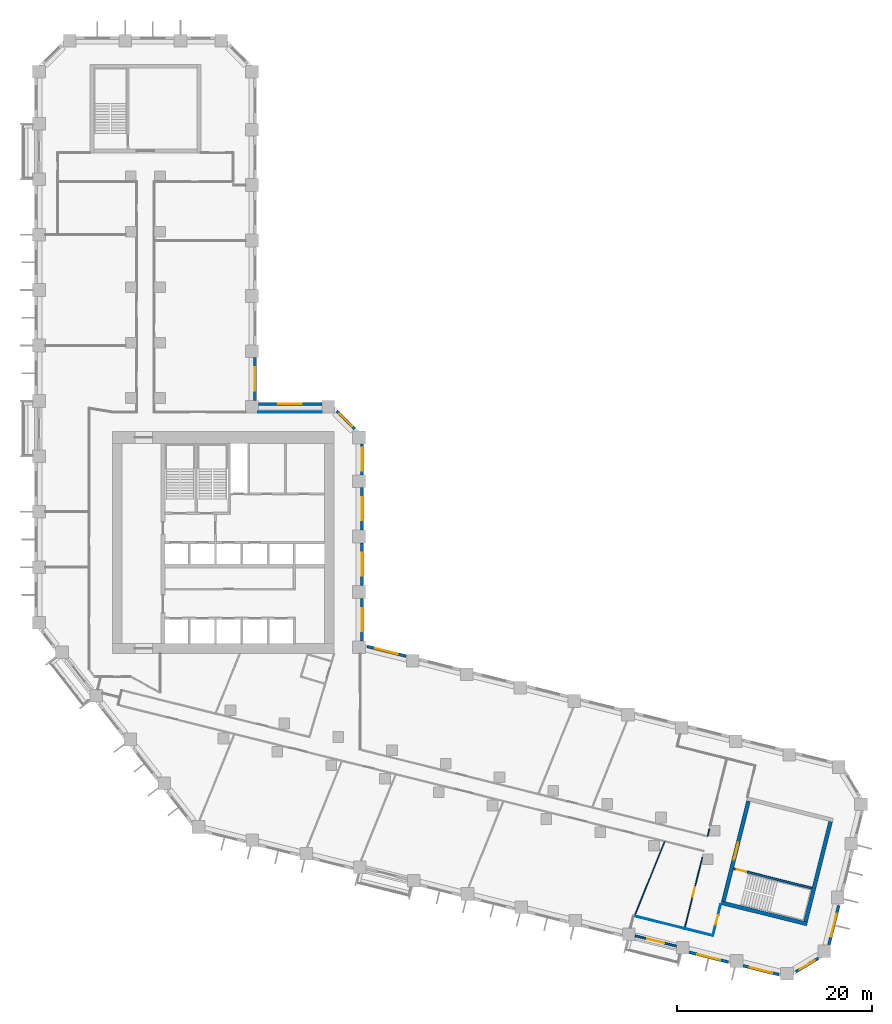
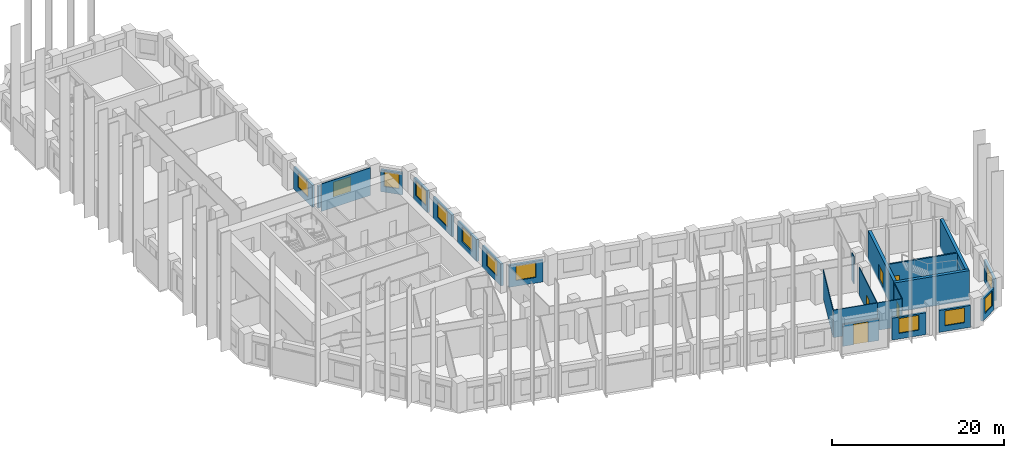
# One storey, part 6 of 10: 24 walls, 12 windows, 5 doors, 17 openings.
"""IFC4 building model written with IfcOpenShell, lengths in metres."""

import ifcopenshell
import ifcopenshell.guid

model = None  # the IFC model being written
_history = None  # IfcOwnerHistory: only IFC2X3 demands one
_inside = {}  # id of a spatial element -> (the spatial element, [elements in it])
_under = {}  # id of a project, library or spatial element -> (it, [spatial elements below it])
_declared = {}  # id of a project -> (the project, [libraries it declares])
_typed = {}  # id of a type object -> (the type object, [elements of that type])
_made_of = {}  # id of a material, layer set ... -> (it, [elements and type objects made of it])


def new_model(schema):
    """Start an empty IFC model of exactly this schema.

    Asked for "IFC4X3", IfcOpenShell would pick the latest addendum, in which some entities
    have other attributes; the version numbers below select the first issue.
    IFC2X3 requires an IfcOwnerHistory on every rooted entity: one is made here for all.
    """
    global model, _history
    if schema == "IFC4X3":
        model = ifcopenshell.file(schema_version=(4, 3, 0, 0))
    else:
        model = ifcopenshell.file(schema=schema)
    _inside.clear()
    _under.clear()
    _declared.clear()
    _typed.clear()
    _made_of.clear()
    _history = None
    if model.schema == "IFC2X3":
        org = make("IfcOrganization", Name="unknown")
        user = make(
            "IfcPersonAndOrganization",
            ThePerson=make("IfcPerson", FamilyName="unknown"),
            TheOrganization=org,
        )
        app = make(
            "IfcApplication",
            ApplicationDeveloper=org,
            Version="unknown",
            ApplicationFullName="unknown",
            ApplicationIdentifier="unknown",
        )
        _history = make(
            "IfcOwnerHistory",
            OwningUser=user,
            OwningApplication=app,
            ChangeAction="ADDED",
            CreationDate=0,
        )
    return model


def make(cls, **values):
    """One entity of the class cls with the attributes given. An attribute that is None is left unset."""
    return model.create_entity(
        cls, **{name: value for name, value in values.items() if value is not None}
    )


def rooted(cls, **values):
    """An entity with a GlobalId (a new one), such as an element, a storey or a relation."""
    return make(cls, GlobalId=ifcopenshell.guid.new(), OwnerHistory=_history, **values)


def si_unit(unit_type, name, prefix=None):
    """IfcSIUnit, for example si_unit("LENGTHUNIT", "METRE", prefix="MILLI")."""
    return make("IfcSIUnit", UnitType=unit_type, Prefix=prefix, Name=name)


def assignment(units):
    """IfcUnitAssignment: the units of a project."""
    return None if units is None else make("IfcUnitAssignment", Units=units)


def point(xyz):
    """IfcCartesianPoint."""
    return None if xyz is None else make("IfcCartesianPoint", Coordinates=xyz)


def direction(xyz):
    """IfcDirection."""
    return None if xyz is None else make("IfcDirection", DirectionRatios=xyz)


def frame(location, z_axis=None, x_axis=None):
    """IfcAxis2Placement3D, a coordinate frame: its origin and axes. An axis left out is left unset."""
    return make(
        "IfcAxis2Placement3D",
        Location=point(location),
        Axis=direction(z_axis),
        RefDirection=direction(x_axis),
    )


def frame_2d(location, x_axis=None):
    """IfcAxis2Placement2D, a coordinate frame in the plane: its origin and x axis."""
    return make(
        "IfcAxis2Placement2D", Location=point(location), RefDirection=direction(x_axis)
    )


def origin():
    """The frame at (0, 0, 0) with its axes left unset."""
    return frame((0.0, 0.0, 0.0))


def place(relative_to, where):
    """IfcLocalPlacement: puts the frame where relative to a parent placement (None: the world)."""
    return make(
        "IfcLocalPlacement", PlacementRelTo=relative_to, RelativePlacement=where
    )


def context(
    kind, dimensions, precision=None, world=None, true_north=None, identifier=None
):
    """IfcGeometricRepresentationContext, for example the 3D "Model" context."""
    return make(
        "IfcGeometricRepresentationContext",
        ContextIdentifier=identifier,
        ContextType=kind,
        CoordinateSpaceDimension=dimensions,
        Precision=precision,
        WorldCoordinateSystem=world,
        TrueNorth=true_north,
    )


def subcontext(parent, identifier, kind, view, scale=None):
    """IfcGeometricRepresentationSubContext, for example "Body" below "Model"."""
    return make(
        "IfcGeometricRepresentationSubContext",
        ContextIdentifier=identifier,
        ContextType=kind,
        ParentContext=parent,
        TargetScale=scale,
        TargetView=view,
    )


def project(units=None, contexts=None):
    """IfcProject with its units and contexts."""
    return rooted(
        "IfcProject",
        Name="project",
        RepresentationContexts=contexts,
        UnitsInContext=assignment(units),
    )


def spatial(cls, under=None, at=None, **own):
    """A site, building, storey or space (cls), placed at a placement, below another one or the project."""
    s = rooted(cls, ObjectPlacement=at, **own)
    if under is not None:
        _under.setdefault(under.id(), (under, []))[1].append(s)
    return s


def profile(cls, at=None, kind="AREA", **sizes):
    """A parametric profile (cls). Its sizes go by their IFC names, for example OverallWidth=200.0."""
    return make(cls, ProfileType=kind, Position=at, **sizes)


def rectangle(**sizes):
    """IfcRectangleProfileDef."""
    return profile("IfcRectangleProfileDef", **sizes)


def extrude(swept, where, along, depth):
    """IfcExtrudedAreaSolid: the profile swept, set in the frame where, extruded along a direction by depth."""
    return make(
        "IfcExtrudedAreaSolid",
        SweptArea=swept,
        Position=where,
        ExtrudedDirection=direction(along),
        Depth=depth,
    )


def shape(context_of_items, identifier, shape_type, items):
    """IfcShapeRepresentation: the items that make up one representation, for example the "Body"."""
    return make(
        "IfcShapeRepresentation",
        ContextOfItems=context_of_items,
        RepresentationIdentifier=identifier,
        RepresentationType=shape_type,
        Items=items,
    )


def material(Name=None, Category=None):
    """IfcMaterial."""
    return make("IfcMaterial", Name=Name, Category=Category)


def layer(
    of_material, thickness, ventilated=None, Name=None, Category=None, Priority=None
):
    """IfcMaterialLayer: one layer of a wall or slab, of a material (None: an air gap)."""
    return make(
        "IfcMaterialLayer",
        Material=of_material,
        LayerThickness=thickness,
        IsVentilated=ventilated,
        Name=Name,
        Category=Category,
        Priority=Priority,
    )


def layer_set(layers, Name=None):
    """IfcMaterialLayerSet."""
    return make("IfcMaterialLayerSet", MaterialLayers=layers, LayerSetName=Name)


def made_of(thing, what):
    """Note that an element or type object is made of a material, layer set ...; save() writes the relation."""
    if what is not None:
        _made_of.setdefault(what.id(), (what, []))[1].append(thing)
    return thing


def type_object(cls, material=None, **own):
    """A type object (cls), such as IfcWallType, which elements share."""
    return made_of(rooted(cls, **own), material)


def element(
    cls,
    number,
    at=None,
    inside=None,
    cuts=None,
    type_object=None,
    material=None,
    context=None,
    identifier="Body",
    shape_type=None,
    held_by="IfcProductDefinitionShape",
    body=None,
    shapes=None,
    **own,
):
    """One element of the class cls, such as IfcWall. Its Tag is "e" and its number.

    at: its placement. inside: the storey or other place that contains it. cuts: it is an
    opening in that element (IfcRelVoidsElement). A single representation is given by context,
    identifier, shape_type and body (its items); several are given by shapes. held_by: the class
    of the entity that holds the representations. save() writes the other relations.
    """
    e = rooted(cls, Tag="e%d" % number, ObjectPlacement=at, **own)
    if body is not None:
        shapes = [shape(context, identifier, shape_type, body)]
    if shapes is not None:
        e.Representation = make(held_by, Representations=shapes)
    if inside is not None:
        _inside.setdefault(inside.id(), (inside, []))[1].append(e)
    if cuts is not None:
        rooted(
            "IfcRelVoidsElement", RelatingBuildingElement=cuts, RelatedOpeningElement=e
        )
    if type_object is not None:
        _typed.setdefault(type_object.id(), (type_object, []))[1].append(e)
    return made_of(e, material)


def fill(opening, filler):
    """IfcRelFillsElement: the door or window that sits in an opening."""
    return rooted(
        "IfcRelFillsElement",
        RelatingOpeningElement=opening,
        RelatedBuildingElement=filler,
    )


def aggregate(whole, parts):
    """IfcRelAggregates: a whole, such as a stair, and the parts it consists of."""
    return rooted("IfcRelAggregates", RelatingObject=whole, RelatedObjects=parts)


def save(model, path):
    """Write the relations noted so far, then the file.

    IfcRelAggregates (storeys below a building ...), IfcRelContainedInSpatialStructure (elements
    in a storey), IfcRelDefinesByType, IfcRelAssociatesMaterial and IfcRelDeclares: one each for
    every whole, place, type object, material and project.
    """
    for whole, parts in _under.values():
        aggregate(whole, parts)
    for where, things in _inside.values():
        rooted(
            "IfcRelContainedInSpatialStructure",
            RelatedElements=things,
            RelatingStructure=where,
        )
    for kind, things in _typed.values():
        rooted("IfcRelDefinesByType", RelatedObjects=things, RelatingType=kind)
    for what, things in _made_of.values():
        rooted("IfcRelAssociatesMaterial", RelatedObjects=things, RelatingMaterial=what)
    for by, libraries in _declared.values():
        rooted("IfcRelDeclares", RelatingContext=by, RelatedDefinitions=libraries)
    model.write(path)


model = new_model("IFC4")

# Units and contexts
model_context = context("Model", 3, precision=1e-05, world=origin(), true_north=direction((0.0, 1.0)))
body_context = subcontext(model_context, "Body", "Model", "MODEL_VIEW")
ifc_project = project(units=[si_unit("LENGTHUNIT", "METRE"), si_unit("AREAUNIT", "SQUARE_METRE"), si_unit("VOLUMEUNIT", "CUBIC_METRE"), si_unit("PLANEANGLEUNIT", "RADIAN"), si_unit("MASSUNIT", "GRAM", prefix="KILO")], contexts=[model_context])

# Site, building, storey
site_placement = place(None, origin())
site = spatial("IfcSite", under=ifc_project, at=site_placement, CompositionType="ELEMENT")
building_placement = place(site_placement, origin())
building = spatial("IfcBuilding", under=site, at=building_placement, Name="Meshkara Civic Tower", CompositionType="ELEMENT")
storey_placement = place(building_placement, frame((0.0, 0.0, 130.800048828125)))
storey = spatial("IfcBuildingStorey", under=building, at=storey_placement, Name="L29", CompositionType="ELEMENT", Elevation=130.800048828125)

# Walls
ifc_material_1 = material(Name="Corridor wall 100")
ifc_layer_1 = layer(ifc_material_1, 0.10009765625)
ifc_layer_set_1 = layer_set([ifc_layer_1], Name="Corridor wall 100")
wall_type_1 = type_object("IfcWallType", Name="Corridor wall 100", PredefinedType="PARTITIONING", material=ifc_layer_set_1)
wall_1_placement = place(storey_placement, frame((29.5439453125, 38.89990234375, 0.0), z_axis=(0.0, 0.0, 1.0), x_axis=(-1.0, 0.0, 0.0)))
element("IfcWall", 1, at=wall_1_placement, inside=storey, type_object=wall_type_1, Name="L29-W021", PredefinedType="PARTITIONING", context=body_context, shape_type="SweptSolid", body=[
    extrude(rectangle(XDim=6.5439453125, YDim=0.10009765625, at=frame_2d((3.27197265625, 0.0))), origin(), (0.0, 0.0, 1.0), 3.89990234375),
])
wall_2_placement = place(storey_placement, frame((66.822998046875, -14.18701171875, 0.0), z_axis=(0.0, 0.0, 1.0), x_axis=(0.970271610033, -0.242018600037, 0.0)))
element("IfcWall", 2, at=wall_2_placement, inside=storey, type_object=wall_type_1, Name="L29-W024", PredefinedType="PARTITIONING", context=body_context, shape_type="SweptSolid", body=[
    extrude(rectangle(XDim=3.0, YDim=0.10009765625, at=frame_2d((1.5, 0.0))), origin(), (0.0, 0.0, 1.0), 3.89990234375),
])

# Wall, opening, door
wall_3_placement = place(storey_placement, frame((68.64990234375, -6.860107421875, 0.0), z_axis=(0.0, 0.0, 1.0), x_axis=(-0.241934597979, -0.970292559129, 0.0)))
wall_3 = element("IfcWall", 3, at=wall_3_placement, inside=storey, type_object=wall_type_1, Name="L29-W025", PredefinedType="PARTITIONING", context=body_context, shape_type="SweptSolid", body=[
    extrude(rectangle(XDim=7.55126953125, YDim=0.10009765625, at=frame_2d((3.775634765625, 0.0))), origin(), (0.0, 0.0, 1.0), 3.89990234375),
])
opening_1_placement = place(wall_3_placement, frame((3.179931640625, 0.0, 0.0)))
opening_1 = element("IfcOpeningElement", 4, at=opening_1_placement, cuts=wall_3, Name="Opening L29-D002", PredefinedType="OPENING", context=body_context, shape_type="SweptSolid", body=[
    extrude(rectangle(XDim=1.0, YDim=2.10009765625, at=frame_2d((0.5, 1.050048828125))), frame((0.0, 0.06005859375, 0.0), z_axis=(0.0, -1.0, 0.0), x_axis=(1.0, 0.0, 0.0)), (0.0, 0.0, 1.0), 0.1201171875),
])
ifc_material_2 = material(Name="Door 1000 x 2100")
door_type_1 = type_object("IfcDoorType", Name="Door 1000 x 2100", OperationType="SINGLE_SWING_LEFT", PredefinedType="DOOR", material=ifc_material_2)
door_1_placement = place(opening_1_placement, origin())
door_1 = element("IfcDoor", 5, at=door_1_placement, inside=storey, type_object=door_type_1, Name="L29-D002", OperationType="SINGLE_SWING_RIGHT", OverallHeight=2.10009765625, OverallWidth=1.0, PredefinedType="DOOR", context=body_context, shape_type="SweptSolid", body=[
    extrude(rectangle(XDim=1.0, YDim=2.10009765625, at=frame_2d((0.5, 1.050048828125))), frame((0.0, 0.02490234375, 0.0), z_axis=(0.0, -1.0, 0.0), x_axis=(1.0, 0.0, 0.0)), (0.0, 0.0, 1.0), 0.050048828125),
])
fill(opening_1, door_1)

# Wall
wall_4_placement = place(storey_placement, frame((69.3759765625, -3.947998046875, 0.0), z_axis=(0.0, 0.0, 1.0), x_axis=(-0.24193792473, -0.970291729624, 0.0)))
element("IfcWall", 6, at=wall_4_placement, inside=storey, type_object=wall_type_1, Name="L29-W026", PredefinedType="PARTITIONING", context=body_context, shape_type="SweptSolid", body=[
    extrude(rectangle(XDim=0.76904296875, YDim=0.10009765625, at=frame_2d((0.384521484375, 0.0))), origin(), (0.0, 0.0, 1.0), 3.89990234375),
])

# Wall, opening, door
wall_5_placement = place(storey_placement, frame((69.73388671875, -14.9130859375, 0.0), z_axis=(0.0, 0.0, 1.0), x_axis=(0.241839284064, 0.97031631991, 0.0)))
wall_5 = element("IfcWall", 7, at=wall_5_placement, inside=storey, type_object=wall_type_1, Name="L29-W027", PredefinedType="PARTITIONING", context=body_context, shape_type="SweptSolid", body=[
    extrude(rectangle(XDim=3.300048828125, YDim=0.10009765625, at=frame_2d((1.64990234375, 0.0))), origin(), (0.0, 0.0, 1.0), 3.89990234375),
])
opening_2_placement = place(wall_5_placement, frame((1.179931640625, 0.0, 0.0)))
opening_2 = element("IfcOpeningElement", 8, at=opening_2_placement, cuts=wall_5, Name="Opening L29-D001", PredefinedType="OPENING", context=body_context, shape_type="SweptSolid", body=[
    extrude(rectangle(XDim=1.0, YDim=2.10009765625, at=frame_2d((0.5, 1.050048828125))), frame((0.0, 0.06005859375, 0.0), z_axis=(0.0, -1.0, 0.0), x_axis=(1.0, 0.0, 0.0)), (0.0, 0.0, 1.0), 0.1201171875),
])
door_2_placement = place(opening_2_placement, origin())
door_2 = element("IfcDoor", 9, at=door_2_placement, inside=storey, type_object=door_type_1, Name="L29-D001", OperationType="SINGLE_SWING_LEFT", OverallHeight=2.10009765625, OverallWidth=1.0, PredefinedType="DOOR", context=body_context, shape_type="SweptSolid", body=[
    extrude(rectangle(XDim=1.0, YDim=2.10009765625, at=frame_2d((0.5, 1.050048828125))), frame((0.0, 0.02490234375, 0.0), z_axis=(0.0, -1.0, 0.0), x_axis=(1.0, 0.0, 0.0)), (0.0, 0.0, 1.0), 0.050048828125),
])
fill(opening_2, door_2)

# Wall, opening, window
ifc_material_3 = material(Name="Insulated infill panel with bronze anodised aluminium cladding", Category="aluminium")
ifc_layer_2 = layer(ifc_material_3, 0.300048828125)
ifc_layer_set_2 = layer_set([ifc_layer_2], Name="EXTERNAL INFILL WALL 300")
wall_type_2 = type_object("IfcWallType", Name="EXTERNAL INFILL WALL 300", PredefinedType="SOLIDWALL", material=ifc_layer_set_2)
wall_6_placement = place(storey_placement, frame((38.18896484375, 13.822021484375, 0.0), z_axis=(0.0, 0.0, 1.0), x_axis=(-0.970281616392, 0.241978480223, 0.0)))
wall_6 = element("IfcWall", 10, at=wall_6_placement, inside=storey, type_object=wall_type_2, Name="External wall", PredefinedType="SOLIDWALL", context=body_context, shape_type="SweptSolid", body=[
    extrude(rectangle(XDim=4.12451171875, YDim=0.300048828125, at=frame_2d((2.062255859375, 0.0))), origin(), (0.0, 0.0, 1.0), 3.099853515625),
])
opening_3_placement = place(wall_6_placement, frame((0.862060546875, 0.0, 0.800048828125)))
opening_3 = element("IfcOpeningElement", 11, at=opening_3_placement, cuts=wall_6, Name="Opening W7", PredefinedType="OPENING", context=body_context, shape_type="SweptSolid", body=[
    extrude(rectangle(XDim=2.39990234375, YDim=2.10009765625, at=frame_2d((1.199951171875, 1.050048828125))), frame((0.0, 0.159912109375, 0.0), z_axis=(0.0, -1.0, 0.0), x_axis=(1.0, 0.0, 0.0)), (0.0, 0.0, 1.0), 0.320068359375),
])
ifc_material_4 = material(Name="Tinted double glazing", Category="glass")
window_type_1 = type_object("IfcWindowType", Name="WINDOW 2400x2100", PartitioningType="DOUBLE_PANEL_VERTICAL", PredefinedType="WINDOW", material=ifc_material_4)
window_1_placement = place(opening_3_placement, origin())
window_1 = element("IfcWindow", 12, at=window_1_placement, inside=storey, type_object=window_type_1, Name="Window", OverallHeight=2.10009765625, OverallWidth=2.39990234375, PartitioningType="DOUBLE_PANEL_VERTICAL", PredefinedType="WINDOW", context=body_context, shape_type="SweptSolid", body=[
    extrude(rectangle(XDim=2.39990234375, YDim=2.10009765625, at=frame_2d((1.199951171875, 1.050048828125))), frame((0.0, 0.030029296875, 0.0), z_axis=(0.0, -1.0, 0.0), x_axis=(1.0, 0.0, 0.0)), (0.0, 0.0, 1.0), 0.06005859375),
])
fill(opening_3, window_1)

wall_7_placement = place(storey_placement, frame((33.64990234375, 15.368896484375, 0.0), z_axis=(0.0, 0.0, 1.0), x_axis=(0.0, 1.0, 0.0)))
wall_7 = element("IfcWall", 13, at=wall_7_placement, inside=storey, type_object=wall_type_2, Name="External wall", PredefinedType="SOLIDWALL", context=body_context, shape_type="SweptSolid", body=[
    extrude(rectangle(XDim=4.400146484375, YDim=0.300048828125, at=frame_2d((2.2001953125, 0.0))), origin(), (0.0, 0.0, 1.0), 3.099853515625),
])
opening_4_placement = place(wall_7_placement, frame((1.0, 0.0, 0.800048828125)))
opening_4 = element("IfcOpeningElement", 14, at=opening_4_placement, cuts=wall_7, Name="Opening W7", PredefinedType="OPENING", context=body_context, shape_type="SweptSolid", body=[
    extrude(rectangle(XDim=2.39990234375, YDim=2.10009765625, at=frame_2d((1.199951171875, 1.050048828125))), frame((0.0, 0.159912109375, 0.0), z_axis=(0.0, -1.0, 0.0), x_axis=(1.0, 0.0, 0.0)), (0.0, 0.0, 1.0), 0.320068359375),
])
window_2_placement = place(opening_4_placement, origin())
window_2 = element("IfcWindow", 15, at=window_2_placement, inside=storey, type_object=window_type_1, Name="Window", OverallHeight=2.10009765625, OverallWidth=2.39990234375, PartitioningType="DOUBLE_PANEL_VERTICAL", PredefinedType="WINDOW", context=body_context, shape_type="SweptSolid", body=[
    extrude(rectangle(XDim=2.39990234375, YDim=2.10009765625, at=frame_2d((1.199951171875, 1.050048828125))), frame((0.0, 0.030029296875, 0.0), z_axis=(0.0, -1.0, 0.0), x_axis=(1.0, 0.0, 0.0)), (0.0, 0.0, 1.0), 0.06005859375),
])
fill(opening_4, window_2)

wall_8_placement = place(storey_placement, frame((33.64990234375, 21.069091796875, 0.0), z_axis=(0.0, 0.0, 1.0), x_axis=(0.0, 1.0, 0.0)))
wall_8 = element("IfcWall", 16, at=wall_8_placement, inside=storey, type_object=wall_type_2, Name="External wall", PredefinedType="SOLIDWALL", context=body_context, shape_type="SweptSolid", body=[
    extrude(rectangle(XDim=4.39990234375, YDim=0.300048828125, at=frame_2d((2.199951171875, 0.0))), origin(), (0.0, 0.0, 1.0), 3.099853515625),
])
opening_5_placement = place(wall_8_placement, frame((1.0, 0.0, 0.800048828125)))
opening_5 = element("IfcOpeningElement", 17, at=opening_5_placement, cuts=wall_8, Name="Opening W7", PredefinedType="OPENING", context=body_context, shape_type="SweptSolid", body=[
    extrude(rectangle(XDim=2.39990234375, YDim=2.10009765625, at=frame_2d((1.199951171875, 1.050048828125))), frame((0.0, 0.159912109375, 0.0), z_axis=(0.0, -1.0, 0.0), x_axis=(1.0, 0.0, 0.0)), (0.0, 0.0, 1.0), 0.320068359375),
])
window_3_placement = place(opening_5_placement, origin())
window_3 = element("IfcWindow", 18, at=window_3_placement, inside=storey, type_object=window_type_1, Name="Window", OverallHeight=2.10009765625, OverallWidth=2.39990234375, PartitioningType="DOUBLE_PANEL_VERTICAL", PredefinedType="WINDOW", context=body_context, shape_type="SweptSolid", body=[
    extrude(rectangle(XDim=2.39990234375, YDim=2.10009765625, at=frame_2d((1.199951171875, 1.050048828125))), frame((0.0, 0.030029296875, 0.0), z_axis=(0.0, -1.0, 0.0), x_axis=(1.0, 0.0, 0.0)), (0.0, 0.0, 1.0), 0.06005859375),
])
fill(opening_5, window_3)

wall_9_placement = place(storey_placement, frame((33.64990234375, 26.76904296875, 0.0), z_axis=(0.0, 0.0, 1.0), x_axis=(0.0, 1.0, 0.0)))
wall_9 = element("IfcWall", 19, at=wall_9_placement, inside=storey, type_object=wall_type_2, Name="External wall", PredefinedType="SOLIDWALL", context=body_context, shape_type="SweptSolid", body=[
    extrude(rectangle(XDim=4.39990234375, YDim=0.300048828125, at=frame_2d((2.199951171875, 0.0))), origin(), (0.0, 0.0, 1.0), 3.099853515625),
])
opening_6_placement = place(wall_9_placement, frame((1.0, 0.0, 0.800048828125)))
opening_6 = element("IfcOpeningElement", 20, at=opening_6_placement, cuts=wall_9, Name="Opening W7", PredefinedType="OPENING", context=body_context, shape_type="SweptSolid", body=[
    extrude(rectangle(XDim=2.39990234375, YDim=2.10009765625, at=frame_2d((1.199951171875, 1.050048828125))), frame((0.0, 0.159912109375, 0.0), z_axis=(0.0, -1.0, 0.0), x_axis=(1.0, 0.0, 0.0)), (0.0, 0.0, 1.0), 0.320068359375),
])
window_4_placement = place(opening_6_placement, origin())
window_4 = element("IfcWindow", 21, at=window_4_placement, inside=storey, type_object=window_type_1, Name="Window", OverallHeight=2.10009765625, OverallWidth=2.39990234375, PartitioningType="DOUBLE_PANEL_VERTICAL", PredefinedType="WINDOW", context=body_context, shape_type="SweptSolid", body=[
    extrude(rectangle(XDim=2.39990234375, YDim=2.10009765625, at=frame_2d((1.199951171875, 1.050048828125))), frame((0.0, 0.030029296875, 0.0), z_axis=(0.0, -1.0, 0.0), x_axis=(1.0, 0.0, 0.0)), (0.0, 0.0, 1.0), 0.06005859375),
])
fill(opening_6, window_4)

wall_10_placement = place(storey_placement, frame((33.64990234375, 32.468994140625, 0.0), z_axis=(0.0, 0.0, 1.0), x_axis=(0.0, 1.0, 0.0)))
wall_10 = element("IfcWall", 22, at=wall_10_placement, inside=storey, type_object=wall_type_2, Name="External wall", PredefinedType="SOLIDWALL", context=body_context, shape_type="SweptSolid", body=[
    extrude(rectangle(XDim=3.175048828125, YDim=0.300048828125, at=frame_2d((1.58740234375, 0.0))), origin(), (0.0, 0.0, 1.0), 3.099853515625),
])
opening_7_placement = place(wall_10_placement, frame((0.387939453125, 0.0, 0.800048828125)))
opening_7 = element("IfcOpeningElement", 23, at=opening_7_placement, cuts=wall_10, Name="Opening W7", PredefinedType="OPENING", context=body_context, shape_type="SweptSolid", body=[
    extrude(rectangle(XDim=2.39990234375, YDim=2.10009765625, at=frame_2d((1.199951171875, 1.050048828125))), frame((0.0, 0.159912109375, 0.0), z_axis=(0.0, -1.0, 0.0), x_axis=(1.0, 0.0, 0.0)), (0.0, 0.0, 1.0), 0.320068359375),
])
window_5_placement = place(opening_7_placement, origin())
window_5 = element("IfcWindow", 24, at=window_5_placement, inside=storey, type_object=window_type_1, Name="Window", OverallHeight=2.10009765625, OverallWidth=2.39990234375, PartitioningType="DOUBLE_PANEL_VERTICAL", PredefinedType="WINDOW", context=body_context, shape_type="SweptSolid", body=[
    extrude(rectangle(XDim=2.39990234375, YDim=2.10009765625, at=frame_2d((1.199951171875, 1.050048828125))), frame((0.0, 0.030029296875, 0.0), z_axis=(0.0, -1.0, 0.0), x_axis=(1.0, 0.0, 0.0)), (0.0, 0.0, 1.0), 0.06005859375),
])
fill(opening_7, window_5)

wall_11_placement = place(storey_placement, frame((32.912109375, 37.156005859375, 0.0), z_axis=(0.0, 0.0, 1.0), x_axis=(-0.707153284542, 0.707060274772, 0.0)))
wall_11 = element("IfcWall", 25, at=wall_11_placement, inside=storey, type_object=wall_type_2, Name="External wall", PredefinedType="SOLIDWALL", context=body_context, shape_type="SweptSolid", body=[
    extrude(rectangle(XDim=2.625, YDim=0.300048828125, at=frame_2d((1.3125, 0.0))), origin(), (0.0, 0.0, 1.0), 3.099853515625),
])
opening_8_placement = place(wall_11_placement, frame((0.412109375, 0.0, 0.800048828125)))
opening_8 = element("IfcOpeningElement", 26, at=opening_8_placement, cuts=wall_11, Name="Opening W9", PredefinedType="OPENING", context=body_context, shape_type="SweptSolid", body=[
    extrude(rectangle(XDim=1.800048828125, YDim=2.10009765625, at=frame_2d((0.89990234375, 1.050048828125))), frame((0.0, 0.159912109375, 0.0), z_axis=(0.0, -1.0, 0.0), x_axis=(1.0, 0.0, 0.0)), (0.0, 0.0, 1.0), 0.320068359375),
])
ifc_material_5 = material(Name="Tinted double glazing", Category="glass")
window_type_2 = type_object("IfcWindowType", Name="WINDOW 1800x2100", PartitioningType="DOUBLE_PANEL_VERTICAL", PredefinedType="WINDOW", material=ifc_material_5)
window_6_placement = place(opening_8_placement, origin())
window_6 = element("IfcWindow", 27, at=window_6_placement, inside=storey, type_object=window_type_2, Name="Window", OverallHeight=2.10009765625, OverallWidth=1.800048828125, PartitioningType="DOUBLE_PANEL_VERTICAL", PredefinedType="WINDOW", context=body_context, shape_type="SweptSolid", body=[
    extrude(rectangle(XDim=1.800048828125, YDim=2.10009765625, at=frame_2d((0.89990234375, 1.050048828125))), frame((0.0, 0.030029296875, 0.0), z_axis=(0.0, -1.0, 0.0), x_axis=(1.0, 0.0, 0.0)), (0.0, 0.0, 1.0), 0.06005859375),
])
fill(opening_8, window_6)

wall_12_placement = place(storey_placement, frame((29.5439453125, 39.75, 0.0), z_axis=(0.0, 0.0, 1.0), x_axis=(-1.0, 0.0, 0.0)))
wall_12 = element("IfcWall", 28, at=wall_12_placement, inside=storey, type_object=wall_type_2, Name="External wall", PredefinedType="SOLIDWALL", context=body_context, shape_type="SweptSolid", body=[
    extrude(rectangle(XDim=6.5439453125, YDim=0.300048828125, at=frame_2d((3.27197265625, 0.0))), origin(), (0.0, 0.0, 1.0), 3.099853515625),
])
opening_9_placement = place(wall_12_placement, frame((2.072021484375, 0.0, 0.800048828125)))
opening_9 = element("IfcOpeningElement", 29, at=opening_9_placement, cuts=wall_12, Name="Opening W7", PredefinedType="OPENING", context=body_context, shape_type="SweptSolid", body=[
    extrude(rectangle(XDim=2.39990234375, YDim=2.10009765625, at=frame_2d((1.199951171875, 1.050048828125))), frame((0.0, 0.159912109375, 0.0), z_axis=(0.0, -1.0, 0.0), x_axis=(1.0, 0.0, 0.0)), (0.0, 0.0, 1.0), 0.320068359375),
])
window_7_placement = place(opening_9_placement, origin())
window_7 = element("IfcWindow", 30, at=window_7_placement, inside=storey, type_object=window_type_1, Name="Window", OverallHeight=2.10009765625, OverallWidth=2.39990234375, PartitioningType="DOUBLE_PANEL_VERTICAL", PredefinedType="WINDOW", context=body_context, shape_type="SweptSolid", body=[
    extrude(rectangle(XDim=2.39990234375, YDim=2.10009765625, at=frame_2d((1.199951171875, 1.050048828125))), frame((0.0, 0.030029296875, 0.0), z_axis=(0.0, -1.0, 0.0), x_axis=(1.0, 0.0, 0.0)), (0.0, 0.0, 1.0), 0.06005859375),
])
fill(opening_9, window_7)

wall_13_placement = place(storey_placement, frame((22.64990234375, 40.10009765625, 0.0), z_axis=(0.0, 0.0, 1.0), x_axis=(0.0, 1.0, 0.0)))
wall_13 = element("IfcWall", 31, at=wall_13_placement, inside=storey, type_object=wall_type_2, Name="External wall", PredefinedType="SOLIDWALL", context=body_context, shape_type="SweptSolid", body=[
    extrude(rectangle(XDim=4.39990234375, YDim=0.300048828125, at=frame_2d((2.199951171875, 0.0))), origin(), (0.0, 0.0, 1.0), 3.099853515625),
])
opening_10_placement = place(wall_13_placement, frame((1.0, 0.0, 0.800048828125)))
opening_10 = element("IfcOpeningElement", 32, at=opening_10_placement, cuts=wall_13, Name="Opening W7", PredefinedType="OPENING", context=body_context, shape_type="SweptSolid", body=[
    extrude(rectangle(XDim=2.39990234375, YDim=2.10009765625, at=frame_2d((1.199951171875, 1.050048828125))), frame((0.0, 0.159912109375, 0.0), z_axis=(0.0, -1.0, 0.0), x_axis=(1.0, 0.0, 0.0)), (0.0, 0.0, 1.0), 0.320068359375),
])
window_8_placement = place(opening_10_placement, origin())
window_8 = element("IfcWindow", 33, at=window_8_placement, inside=storey, type_object=window_type_1, Name="Window", OverallHeight=2.10009765625, OverallWidth=2.39990234375, PartitioningType="DOUBLE_PANEL_VERTICAL", PredefinedType="WINDOW", context=body_context, shape_type="SweptSolid", body=[
    extrude(rectangle(XDim=2.39990234375, YDim=2.10009765625, at=frame_2d((1.199951171875, 1.050048828125))), frame((0.0, 0.030029296875, 0.0), z_axis=(0.0, -1.0, 0.0), x_axis=(1.0, 0.0, 0.0)), (0.0, 0.0, 1.0), 0.06005859375),
])
fill(opening_10, window_8)

wall_14_placement = place(storey_placement, frame((67.319091796875, -16.6298828125, 0.0), z_axis=(0.0, 0.0, 1.0), x_axis=(0.970337184445, -0.241755555227, 0.0)))
wall_14 = element("IfcWall", 34, at=wall_14_placement, inside=storey, type_object=wall_type_2, Name="External wall", PredefinedType="SOLIDWALL", context=body_context, shape_type="SweptSolid", body=[
    extrude(rectangle(XDim=4.124267578125, YDim=0.300048828125, at=frame_2d((2.06201171875, 0.0))), origin(), (0.0, 0.0, 1.0), 3.099853515625),
])
opening_11_placement = place(wall_14_placement, frame((0.862060546875, 0.0, 0.800048828125)))
opening_11 = element("IfcOpeningElement", 35, at=opening_11_placement, cuts=wall_14, Name="Opening W7", PredefinedType="OPENING", context=body_context, shape_type="SweptSolid", body=[
    extrude(rectangle(XDim=2.39990234375, YDim=2.10009765625, at=frame_2d((1.199951171875, 1.050048828125))), frame((0.0, 0.159912109375, 0.0), z_axis=(0.0, -1.0, 0.0), x_axis=(1.0, 0.0, 0.0)), (0.0, 0.0, 1.0), 0.320068359375),
])
window_9_placement = place(opening_11_placement, origin())
window_9 = element("IfcWindow", 36, at=window_9_placement, inside=storey, type_object=window_type_1, Name="Window", OverallHeight=2.10009765625, OverallWidth=2.39990234375, PartitioningType="DOUBLE_PANEL_VERTICAL", PredefinedType="WINDOW", context=body_context, shape_type="SweptSolid", body=[
    extrude(rectangle(XDim=2.39990234375, YDim=2.10009765625, at=frame_2d((1.199951171875, 1.050048828125))), frame((0.0, 0.030029296875, 0.0), z_axis=(0.0, -1.0, 0.0), x_axis=(1.0, 0.0, 0.0)), (0.0, 0.0, 1.0), 0.06005859375),
])
fill(opening_11, window_9)

wall_15_placement = place(storey_placement, frame((72.85009765625, -18.009033203125, 0.0), z_axis=(0.0, 0.0, 1.0), x_axis=(0.970309295155, -0.241867467295, 0.0)))
wall_15 = element("IfcWall", 37, at=wall_15_placement, inside=storey, type_object=wall_type_2, Name="External wall", PredefinedType="SOLIDWALL", context=body_context, shape_type="SweptSolid", body=[
    extrude(rectangle(XDim=3.783203125, YDim=0.300048828125, at=frame_2d((1.8916015625, 0.0))), origin(), (0.0, 0.0, 1.0), 3.099853515625),
])
opening_12_placement = place(wall_15_placement, frame((0.69189453125, 0.0, 0.800048828125)))
opening_12 = element("IfcOpeningElement", 38, at=opening_12_placement, cuts=wall_15, Name="Opening W7", PredefinedType="OPENING", context=body_context, shape_type="SweptSolid", body=[
    extrude(rectangle(XDim=2.39990234375, YDim=2.10009765625, at=frame_2d((1.199951171875, 1.050048828125))), frame((0.0, 0.159912109375, 0.0), z_axis=(0.0, -1.0, 0.0), x_axis=(1.0, 0.0, 0.0)), (0.0, 0.0, 1.0), 0.320068359375),
])
window_10_placement = place(opening_12_placement, origin())
window_10 = element("IfcWindow", 39, at=window_10_placement, inside=storey, type_object=window_type_1, Name="Window", OverallHeight=2.10009765625, OverallWidth=2.39990234375, PartitioningType="DOUBLE_PANEL_VERTICAL", PredefinedType="WINDOW", context=body_context, shape_type="SweptSolid", body=[
    extrude(rectangle(XDim=2.39990234375, YDim=2.10009765625, at=frame_2d((1.199951171875, 1.050048828125))), frame((0.0, 0.030029296875, 0.0), z_axis=(0.0, -1.0, 0.0), x_axis=(1.0, 0.0, 0.0)), (0.0, 0.0, 1.0), 0.06005859375),
])
fill(opening_12, window_10)

wall_16_placement = place(storey_placement, frame((78.277099609375, -18.62109375, 0.0), z_axis=(0.0, 0.0, 1.0), x_axis=(0.857066424989, 0.515205923061, 0.0)))
wall_16 = element("IfcWall", 40, at=wall_16_placement, inside=storey, type_object=wall_type_2, Name="External wall", PredefinedType="SOLIDWALL", context=body_context, shape_type="SweptSolid", body=[
    extrude(rectangle(XDim=2.6787109375, YDim=0.300048828125, at=frame_2d((1.33935546875, 0.0))), origin(), (0.0, 0.0, 1.0), 3.099853515625),
])
opening_13_placement = place(wall_16_placement, frame((0.43896484375, 0.0, 0.800048828125)))
opening_13 = element("IfcOpeningElement", 41, at=opening_13_placement, cuts=wall_16, Name="Opening W9", PredefinedType="OPENING", context=body_context, shape_type="SweptSolid", body=[
    extrude(rectangle(XDim=1.800048828125, YDim=2.10009765625, at=frame_2d((0.89990234375, 1.050048828125))), frame((0.0, 0.159912109375, 0.0), z_axis=(0.0, -1.0, 0.0), x_axis=(1.0, 0.0, 0.0)), (0.0, 0.0, 1.0), 0.320068359375),
])
window_11_placement = place(opening_13_placement, origin())
window_11 = element("IfcWindow", 42, at=window_11_placement, inside=storey, type_object=window_type_2, Name="Window", OverallHeight=2.10009765625, OverallWidth=1.800048828125, PartitioningType="DOUBLE_PANEL_VERTICAL", PredefinedType="WINDOW", context=body_context, shape_type="SweptSolid", body=[
    extrude(rectangle(XDim=1.800048828125, YDim=2.10009765625, at=frame_2d((0.89990234375, 1.050048828125))), frame((0.0, 0.030029296875, 0.0), z_axis=(0.0, -1.0, 0.0), x_axis=(1.0, 0.0, 0.0)), (0.0, 0.0, 1.0), 0.06005859375),
])
fill(opening_13, window_11)

wall_17_placement = place(storey_placement, frame((81.6650390625, -15.83203125, 0.0), z_axis=(0.0, 0.0, 1.0), x_axis=(0.241978480223, 0.970281616392, 0.0)))
wall_17 = element("IfcWall", 43, at=wall_17_placement, inside=storey, type_object=wall_type_2, Name="External wall", PredefinedType="SOLIDWALL", context=body_context, shape_type="SweptSolid", body=[
    extrude(rectangle(XDim=4.12451171875, YDim=0.300048828125, at=frame_2d((2.062255859375, 0.0))), origin(), (0.0, 0.0, 1.0), 3.099853515625),
])
opening_14_placement = place(wall_17_placement, frame((0.862060546875, 0.0, 0.800048828125)))
opening_14 = element("IfcOpeningElement", 44, at=opening_14_placement, cuts=wall_17, Name="Opening W7", PredefinedType="OPENING", context=body_context, shape_type="SweptSolid", body=[
    extrude(rectangle(XDim=2.39990234375, YDim=2.10009765625, at=frame_2d((1.199951171875, 1.050048828125))), frame((0.0, 0.159912109375, 0.0), z_axis=(0.0, -1.0, 0.0), x_axis=(1.0, 0.0, 0.0)), (0.0, 0.0, 1.0), 0.320068359375),
])
window_12_placement = place(opening_14_placement, origin())
window_12 = element("IfcWindow", 45, at=window_12_placement, inside=storey, type_object=window_type_1, Name="Window", OverallHeight=2.10009765625, OverallWidth=2.39990234375, PartitioningType="DOUBLE_PANEL_VERTICAL", PredefinedType="WINDOW", context=body_context, shape_type="SweptSolid", body=[
    extrude(rectangle(XDim=2.39990234375, YDim=2.10009765625, at=frame_2d((1.199951171875, 1.050048828125))), frame((0.0, 0.030029296875, 0.0), z_axis=(0.0, -1.0, 0.0), x_axis=(1.0, 0.0, 0.0)), (0.0, 0.0, 1.0), 0.06005859375),
])
fill(opening_14, window_12)

# Wall
ifc_material_6 = material(Name="Concrete C70", Category="concrete")
ifc_layer_3 = layer(ifc_material_6, 0.39990234375)
ifc_layer_set_3 = layer_set([ifc_layer_3], Name="End core ring wall 400 C70")
wall_type_3 = type_object("IfcWallType", Name="End core ring wall 400 C70", PredefinedType="SHEAR", material=ifc_layer_set_3)
wall_18_placement = place(storey_placement, frame((70.580078125, -11.51708984375, -0.300048828125), z_axis=(0.0, 0.0, 1.0), x_axis=(0.970285938441, -0.241961149081, 0.0)))
element("IfcWall", 46, at=wall_18_placement, inside=storey, type_object=wall_type_3, Name="L29-C031", PredefinedType="SHEAR", context=body_context, shape_type="SweptSolid", body=[
    extrude(rectangle(XDim=9.100341796875, YDim=0.39990234375, at=frame_2d((4.55029296875, 0.0))), origin(), (0.0, 0.0, 1.0), 4.199951171875),
])

# Wall, opening, door
wall_19_placement = place(storey_placement, frame((70.822998046875, -11.37109375, -0.300048828125), z_axis=(0.0, 0.0, 1.0), x_axis=(0.241885246693, 0.97030486314, 0.0)))
wall_19 = element("IfcWall", 47, at=wall_19_placement, inside=storey, type_object=wall_type_3, Name="L29-C033", PredefinedType="SHEAR", context=body_context, shape_type="SweptSolid", body=[
    extrude(rectangle(XDim=10.599853515625, YDim=0.39990234375, at=frame_2d((5.2998046875, 0.0))), origin(), (0.0, 0.0, 1.0), 4.199951171875),
])
opening_15_placement = place(wall_19_placement, frame((4.39990234375, 0.0, 0.300048828125)))
opening_15 = element("IfcOpeningElement", 48, at=opening_15_placement, cuts=wall_19, Name="Opening L29-K202", PredefinedType="OPENING", context=body_context, shape_type="SweptSolid", body=[
    extrude(rectangle(XDim=1.800048828125, YDim=2.10009765625, at=frame_2d((0.89990234375, 1.050048828125))), frame((0.0, 0.2099609375, 0.0), z_axis=(0.0, -1.0, 0.0), x_axis=(1.0, 0.0, 0.0)), (0.0, 0.0, 1.0), 0.419921875),
])
ifc_material_7 = material(Name="Fire-rated door leaf in steel frame", Category="steel")
door_type_2 = type_object("IfcDoorType", Name="Core double door 1800 EI 60", OperationType="DOUBLE_DOOR_SINGLE_SWING", PredefinedType="DOOR", material=ifc_material_7)
door_3_placement = place(opening_15_placement, origin())
door_3 = element("IfcDoor", 49, at=door_3_placement, inside=storey, type_object=door_type_2, Name="L29-K202", OperationType="DOUBLE_DOOR_SINGLE_SWING", OverallHeight=2.10009765625, OverallWidth=1.800048828125, PredefinedType="DOOR", context=body_context, shape_type="SweptSolid", body=[
    extrude(rectangle(XDim=1.800048828125, YDim=2.10009765625, at=frame_2d((0.89990234375, 1.050048828125))), frame((0.0, 0.02490234375, 0.0), z_axis=(0.0, -1.0, 0.0), x_axis=(1.0, 0.0, 0.0)), (0.0, 0.0, 1.0), 0.050048828125),
])
fill(opening_15, door_3)

# Wall
wall_20_placement = place(storey_placement, frame((79.263916015625, -13.47607421875, -0.300048828125), z_axis=(0.0, 0.0, 1.0), x_axis=(0.241993665753, 0.970277829148, 0.0)))
element("IfcWall", 50, at=wall_20_placement, inside=storey, type_object=wall_type_3, Name="L29-C034", PredefinedType="SHEAR", context=body_context, shape_type="SweptSolid", body=[
    extrude(rectangle(XDim=10.60009765625, YDim=0.39990234375, at=frame_2d((5.300048828125, 0.0))), origin(), (0.0, 0.0, 1.0), 4.199951171875),
])

# Wall, opening, door
ifc_material_8 = material(Name="Insulated infill panel with bronze anodised aluminium cladding", Category="aluminium")
ifc_layer_4 = layer(ifc_material_8, 0.199951171875)
ifc_layer_set_4 = layer_set([ifc_layer_4], Name="LOGGIA BACK WALL 200")
wall_type_4 = type_object("IfcWallType", Name="LOGGIA BACK WALL 200", PredefinedType="SOLIDWALL", material=ifc_layer_set_4)
wall_21_placement = place(storey_placement, frame((61.7470703125, -14.930908203125, 0.0), z_axis=(0.0, 0.0, 1.0), x_axis=(0.970267548892, -0.242034880891, 0.0)))
wall_21 = element("IfcWall", 51, at=wall_21_placement, inside=storey, type_object=wall_type_4, Name="Loggia wall", PredefinedType="SOLIDWALL", context=body_context, shape_type="SweptSolid", body=[
    extrude(rectangle(XDim=4.359619140625, YDim=0.199951171875, at=frame_2d((2.1796875, 0.0))), origin(), (0.0, 0.0, 1.0), 3.099853515625),
])
opening_16_placement = place(wall_21_placement, frame((1.279052734375, 0.0, 0.0)))
opening_16 = element("IfcOpeningElement", 52, at=opening_16_placement, cuts=wall_21, Name="Opening L29-L005", PredefinedType="OPENING", context=body_context, shape_type="SweptSolid", body=[
    extrude(rectangle(XDim=1.800048828125, YDim=2.89990234375, at=frame_2d((0.89990234375, 1.449951171875))), frame((0.0, 0.10986328125, 0.0), z_axis=(0.0, -1.0, 0.0), x_axis=(1.0, 0.0, 0.0)), (0.0, 0.0, 1.0), 0.219970703125),
])
ifc_material_9 = material(Name="Tinted double glazing", Category="glass")
door_type_3 = type_object("IfcDoorType", Name="LOGGIA DOOR 1800x2900", OperationType="DOUBLE_DOOR_SINGLE_SWING", PredefinedType="DOOR", material=ifc_material_9)
door_4_placement = place(opening_16_placement, origin())
door_4 = element("IfcDoor", 53, at=door_4_placement, inside=storey, type_object=door_type_3, Name="L29-L005", OperationType="DOUBLE_DOOR_SINGLE_SWING", OverallHeight=2.89990234375, OverallWidth=1.800048828125, PredefinedType="DOOR", context=body_context, shape_type="SweptSolid", body=[
    extrude(rectangle(XDim=1.800048828125, YDim=2.89990234375, at=frame_2d((0.89990234375, 1.449951171875))), frame((0.0, 0.02490234375, 0.0), z_axis=(0.0, -1.0, 0.0), x_axis=(1.0, 0.0, 0.0)), (0.0, 0.0, 1.0), 0.050048828125),
])
fill(opening_16, door_4)

# Walls
ifc_material_10 = material(Name="Partition 100")
ifc_layer_5 = layer(ifc_material_10, 0.10009765625)
ifc_layer_set_5 = layer_set([ifc_layer_5], Name="Partition 100")
wall_type_5 = type_object("IfcWallType", Name="Partition 100", PredefinedType="PARTITIONING", material=ifc_layer_set_5)
wall_22_placement = place(storey_placement, frame((61.677978515625, -12.904052734375, 0.0), z_axis=(0.0, 0.0, 1.0), x_axis=(0.3745149781, 0.927220864292, 0.0)))
element("IfcWall", 54, at=wall_22_placement, inside=storey, type_object=wall_type_5, Name="L29-W052", PredefinedType="PARTITIONING", context=body_context, shape_type="SweptSolid", body=[
    extrude(rectangle(XDim=8.23974609375, YDim=0.10009765625, at=frame_2d((4.119873046875, 0.0))), origin(), (0.0, 0.0, 1.0), 3.89990234375),
])
wall_23_placement = place(storey_placement, frame((61.677978515625, -12.904052734375, 0.0), z_axis=(0.0, 0.0, 1.0), x_axis=(0.97028846404, -0.241951020976, 0.0)))
element("IfcWall", 55, at=wall_23_placement, inside=storey, type_object=wall_type_5, Name="L29-W053", PredefinedType="PARTITIONING", context=body_context, shape_type="SweptSolid", body=[
    extrude(rectangle(XDim=5.306640625, YDim=0.10009765625, at=frame_2d((2.6533203125, 0.0))), origin(), (0.0, 0.0, 1.0), 3.89990234375),
])

# Wall, opening, door
ifc_material_11 = material(Name="Concrete C40/50", Category="concrete")
ifc_layer_6 = layer(ifc_material_11, 0.199951171875)
ifc_layer_set_6 = layer_set([ifc_layer_6], Name="Stair enclosure wall 200 C40/50")
wall_type_6 = type_object("IfcWallType", Name="Stair enclosure wall 200 C40/50", PredefinedType="SOLIDWALL", material=ifc_layer_set_6)
wall_24_placement = place(storey_placement, frame((71.864013671875, -8.02392578125, 0.0), z_axis=(0.0, 0.0, 1.0), x_axis=(0.970289402158, -0.241947258837, 0.0)))
wall_24 = element("IfcWall", 56, at=wall_24_placement, inside=storey, type_object=wall_type_6, Name="L29-C035", PredefinedType="SOLIDWALL", context=body_context, shape_type="SweptSolid", body=[
    extrude(rectangle(XDim=8.299560546875, YDim=0.199951171875, at=frame_2d((4.14990234375, 0.0))), origin(), (0.0, 0.0, 1.0), 3.89990234375),
])
opening_17_placement = place(wall_24_placement, frame((0.35009765625, 0.0, 0.0)))
opening_17 = element("IfcOpeningElement", 57, at=opening_17_placement, cuts=wall_24, Name="Opening L29-K201", PredefinedType="OPENING", context=body_context, shape_type="SweptSolid", body=[
    extrude(rectangle(XDim=1.0, YDim=2.10009765625, at=frame_2d((0.5, 1.050048828125))), frame((0.0, 0.10986328125, 0.0), z_axis=(0.0, -1.0, 0.0), x_axis=(1.0, 0.0, 0.0)), (0.0, 0.0, 1.0), 0.219970703125),
])
ifc_material_12 = material(Name="Fire-rated door leaf in steel frame", Category="steel")
door_type_4 = type_object("IfcDoorType", Name="Stair door 1000 EI 120", OperationType="SINGLE_SWING_LEFT", PredefinedType="DOOR", material=ifc_material_12)
door_5_placement = place(opening_17_placement, origin())
door_5 = element("IfcDoor", 58, at=door_5_placement, inside=storey, type_object=door_type_4, Name="L29-K201", OperationType="SINGLE_SWING_LEFT", OverallHeight=2.10009765625, OverallWidth=1.0, PredefinedType="DOOR", context=body_context, shape_type="SweptSolid", body=[
    extrude(rectangle(XDim=1.0, YDim=2.10009765625, at=frame_2d((0.5, 1.050048828125))), frame((0.0, 0.02490234375, 0.0), z_axis=(0.0, -1.0, 0.0), x_axis=(1.0, 0.0, 0.0)), (0.0, 0.0, 1.0), 0.050048828125),
])
fill(opening_17, door_5)

save(model, "model.ifc")
